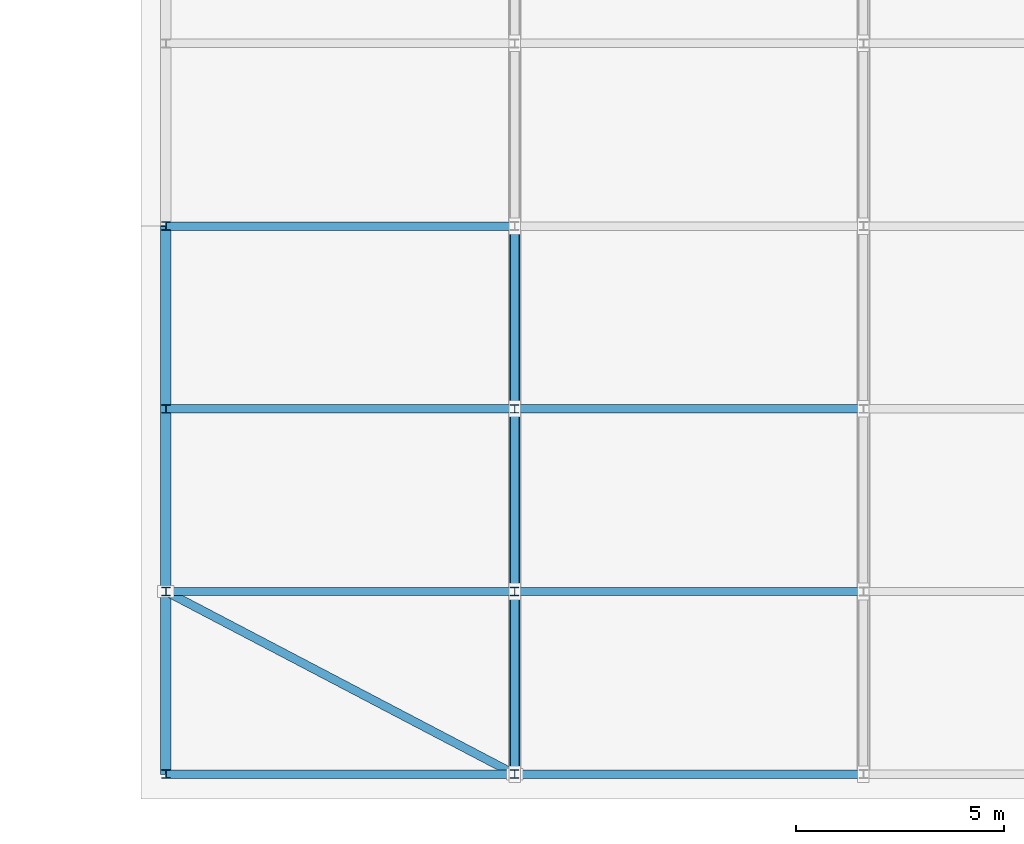
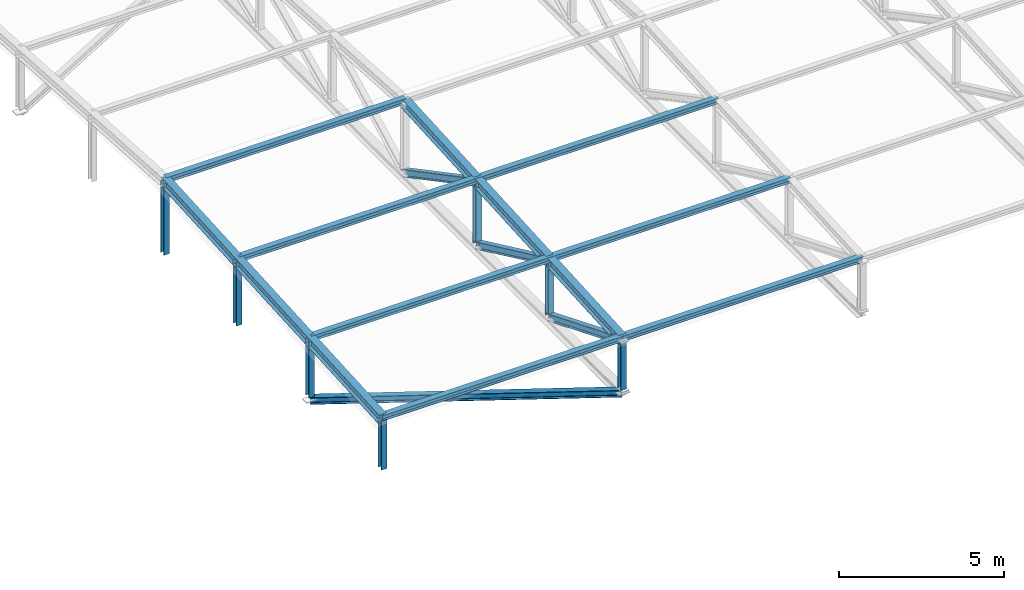
# One storey, part 6 of 49: 20 members.
"""IFC4 building model written with IfcOpenShell, lengths in metres."""

from ifc_helpers import new_model, si_unit, direction, frame, origin, origin_2d, place, context, subcontext, project, spatial, i_section, extrude, material, material_profile, profile_set, type_object, element, save


model = new_model("IFC4")

# Units and contexts
model_context = context("Model", 3, precision=1e-05, world=origin(), true_north=direction((0.0, 1.0)))
body_context = subcontext(model_context, "Body", "Model", "MODEL_VIEW")
ifc_project = project(units=[si_unit("LENGTHUNIT", "METRE"), si_unit("AREAUNIT", "SQUARE_METRE"), si_unit("VOLUMEUNIT", "CUBIC_METRE"), si_unit("PLANEANGLEUNIT", "RADIAN"), si_unit("MASSUNIT", "GRAM", prefix="KILO")], contexts=[model_context])

# Site, building, storey
site_placement = place(None, origin())
site = spatial("IfcSite", under=ifc_project, at=site_placement, CompositionType="ELEMENT")
building_placement = place(site_placement, origin())
building = spatial("IfcBuilding", under=site, at=building_placement, Name="Kemercrest Conservatory and Botanical Centre", CompositionType="ELEMENT")
storey_placement = place(building_placement, frame((0.0, 0.0, 13.199951171875)))
storey = spatial("IfcBuildingStorey", under=building, at=storey_placement, Name="L03", CompositionType="ELEMENT", Elevation=13.199951171875)

# Members
ifc_material = material(Name="Steel CSA G40.21 350W", Category="steel")
ifc_material_profile_1 = material_profile(ifc_material, i_section(OverallWidth=0.202880859375, OverallDepth=0.251953125, WebThickness=0.008056640625, FlangeThickness=0.013427734375, FilletRadius=0.010986328125, at=origin_2d()), Name="W250X58")
ifc_profile_set_1 = profile_set([ifc_material_profile_1], Name="Steel CSA G40.21 350W")
member_type_1 = type_object("IfcMemberType", Name="BR-LAT250", PredefinedType="BRACE", material=ifc_profile_set_1)
member_1_placement = place(storey_placement, frame((58.39990234375, 21.199951171875, -0.14990234375), z_axis=(0.885839094012, -0.463992564079, 0.0), x_axis=(0.463992564079, 0.885839094012, 0.0)))
element("IfcMember", 1, at=member_1_placement, inside=storey, type_object=member_type_1, Name="Roof diaphragm corner wind brace BR-LAT250", PredefinedType="BRACE", context=body_context, shape_type="SweptSolid", body=[
    extrude(i_section(OverallWidth=0.202880859375, OverallDepth=0.251953125, WebThickness=0.008056640625, FlangeThickness=0.013427734375, FilletRadius=0.010986328125, at=origin_2d()), origin(), (0.0, 0.0, 1.0), 9.482666015625),
])
ifc_material_profile_2 = material_profile(ifc_material, i_section(OverallWidth=0.202880859375, OverallDepth=0.202880859375, WebThickness=0.007080078125, FlangeThickness=0.010986328125, FilletRadius=0.010009765625, at=origin_2d()), Name="W200X46")
ifc_profile_set_2 = profile_set([ifc_material_profile_2], Name="Steel CSA G40.21 350W")
member_type_2 = type_object("IfcMemberType", Name="PR-W200", PredefinedType="PURLIN", material=ifc_profile_set_2)
member_2_placement = place(storey_placement, frame((58.39990234375, 16.800048828125, 1.880126953125), z_axis=(1.0, 0.0, 0.0), x_axis=(0.0, 1.0, 0.0)))
element("IfcMember", 2, at=member_2_placement, inside=storey, type_object=member_type_2, Name="Auditorium roof purlin P0", PredefinedType="PURLIN", context=body_context, shape_type="SweptSolid", body=[
    extrude(i_section(OverallWidth=0.202880859375, OverallDepth=0.202880859375, WebThickness=0.007080078125, FlangeThickness=0.010986328125, FilletRadius=0.010009765625, at=origin_2d()), origin(), (0.0, 0.0, 1.0), 8.400146484375),
])
member_3_placement = place(storey_placement, frame((66.800048828125, 16.800048828125, 1.880126953125), z_axis=(1.0, 0.0, 0.0), x_axis=(0.0, 1.0, 0.0)))
element("IfcMember", 3, at=member_3_placement, inside=storey, type_object=member_type_2, Name="Auditorium roof purlin P0", PredefinedType="PURLIN", context=body_context, shape_type="SweptSolid", body=[
    extrude(i_section(OverallWidth=0.202880859375, OverallDepth=0.202880859375, WebThickness=0.007080078125, FlangeThickness=0.010986328125, FilletRadius=0.010009765625, at=origin_2d()), origin(), (0.0, 0.0, 1.0), 8.39990234375),
])
member_4_placement = place(storey_placement, frame((58.39990234375, 21.199951171875, 2.146728515625), z_axis=(1.0, 0.0, 0.0), x_axis=(0.0, 1.0, 0.0)))
element("IfcMember", 4, at=member_4_placement, inside=storey, type_object=member_type_2, Name="Auditorium roof purlin P1", PredefinedType="PURLIN", context=body_context, shape_type="SweptSolid", body=[
    extrude(i_section(OverallWidth=0.202880859375, OverallDepth=0.202880859375, WebThickness=0.007080078125, FlangeThickness=0.010986328125, FilletRadius=0.010009765625, at=origin_2d()), origin(), (0.0, 0.0, 1.0), 8.400146484375),
])
member_5_placement = place(storey_placement, frame((66.800048828125, 21.199951171875, 2.146728515625), z_axis=(1.0, 0.0, 0.0), x_axis=(0.0, 1.0, 0.0)))
element("IfcMember", 5, at=member_5_placement, inside=storey, type_object=member_type_2, Name="Auditorium roof purlin P1", PredefinedType="PURLIN", context=body_context, shape_type="SweptSolid", body=[
    extrude(i_section(OverallWidth=0.202880859375, OverallDepth=0.202880859375, WebThickness=0.007080078125, FlangeThickness=0.010986328125, FilletRadius=0.010009765625, at=origin_2d()), origin(), (0.0, 0.0, 1.0), 8.39990234375),
])
member_6_placement = place(storey_placement, frame((58.39990234375, 25.60009765625, 2.413330078125), z_axis=(1.0, 0.0, 0.0), x_axis=(0.0, 1.0, 0.0)))
element("IfcMember", 6, at=member_6_placement, inside=storey, type_object=member_type_2, Name="Auditorium roof purlin P2", PredefinedType="PURLIN", context=body_context, shape_type="SweptSolid", body=[
    extrude(i_section(OverallWidth=0.202880859375, OverallDepth=0.202880859375, WebThickness=0.007080078125, FlangeThickness=0.010986328125, FilletRadius=0.010009765625, at=origin_2d()), origin(), (0.0, 0.0, 1.0), 8.400146484375),
])
member_7_placement = place(storey_placement, frame((66.800048828125, 25.60009765625, 2.413330078125), z_axis=(1.0, 0.0, 0.0), x_axis=(0.0, 1.0, 0.0)))
element("IfcMember", 7, at=member_7_placement, inside=storey, type_object=member_type_2, Name="Auditorium roof purlin P2", PredefinedType="PURLIN", context=body_context, shape_type="SweptSolid", body=[
    extrude(i_section(OverallWidth=0.202880859375, OverallDepth=0.202880859375, WebThickness=0.007080078125, FlangeThickness=0.010986328125, FilletRadius=0.010009765625, at=origin_2d()), origin(), (0.0, 0.0, 1.0), 8.39990234375),
])
member_8_placement = place(storey_placement, frame((58.39990234375, 30.0, 2.679931640625), z_axis=(1.0, 0.0, 0.0), x_axis=(0.0, 1.0, 0.0)))
element("IfcMember", 8, at=member_8_placement, inside=storey, type_object=member_type_2, Name="Auditorium roof purlin P3", PredefinedType="PURLIN", context=body_context, shape_type="SweptSolid", body=[
    extrude(i_section(OverallWidth=0.202880859375, OverallDepth=0.202880859375, WebThickness=0.007080078125, FlangeThickness=0.010986328125, FilletRadius=0.010009765625, at=origin_2d()), origin(), (0.0, 0.0, 1.0), 8.400146484375),
])
ifc_material_profile_3 = material_profile(ifc_material, i_section(OverallWidth=0.257080078125, OverallDepth=0.363037109375, WebThickness=0.012939453125, FlangeThickness=0.021728515625, FilletRadius=0.01611328125, at=origin_2d()), Name="W360X122")
ifc_profile_set_3 = profile_set([ifc_material_profile_3], Name="Steel CSA G40.21 350W")
member_type_3 = type_object("IfcMemberType", Name="TR-TC360", PredefinedType="CHORD", material=ifc_profile_set_3)
for number, where, z_axis, x_axis, name in (
    (9, (66.800048828125, 16.800048828125, 1.800048828125), (0.0, 0.998168260152, 0.060498962186), (-1.0, 0.0, 0.0), "Auditorium Roof Truss South Top Chord 08"),
    (10, (58.39990234375, 16.800048828125, 1.800048828125), (0.0, 0.998168260152, 0.060498962186), (-1.0, 0.0, 0.0), "Auditorium gable south rafter 07"),
):
    element("IfcMember", number, at=place(storey_placement, frame(where, z_axis=z_axis, x_axis=x_axis)), inside=storey, type_object=member_type_3, Name=name, PredefinedType="CHORD", context=body_context, shape_type="SweptSolid", body=[
        extrude(i_section(OverallWidth=0.257080078125, OverallDepth=0.363037109375, WebThickness=0.012939453125, FlangeThickness=0.021728515625, FilletRadius=0.01611328125, at=origin_2d()), origin(), (0.0, 0.0, 1.0), 13.22412109375),
    ])
ifc_material_profile_4 = material_profile(ifc_material, i_section(OverallWidth=0.202880859375, OverallDepth=0.202880859375, WebThickness=0.007080078125, FlangeThickness=0.010986328125, FilletRadius=0.010009765625, at=origin_2d()), Name="W200X46")
ifc_profile_set_4 = profile_set([ifc_material_profile_4], Name="Steel CSA G40.21 350W")
member_type_4 = type_object("IfcMemberType", Name="TR-VRT200", PredefinedType="BRACE", material=ifc_profile_set_4)
member_9_placement = place(storey_placement, frame((66.800048828125, 16.800048828125, -0.014892578125), z_axis=(0.0, 0.0, 1.0), x_axis=(1.0, 0.0, 0.0)))
element("IfcMember", 11, at=member_9_placement, inside=storey, type_object=member_type_4, Name="Auditorium Roof Truss Vertical Strut 08-V0", PredefinedType="BRACE", context=body_context, shape_type="SweptSolid", body=[
    extrude(i_section(OverallWidth=0.202880859375, OverallDepth=0.202880859375, WebThickness=0.007080078125, FlangeThickness=0.010986328125, FilletRadius=0.010009765625, at=origin_2d()), origin(), (0.0, 0.0, 1.0), 1.81494140625),
])
member_10_placement = place(storey_placement, frame((66.800048828125, 21.199951171875, -0.014892578125), z_axis=(0.0, 0.0, 1.0), x_axis=(1.0, 0.0, 0.0)))
element("IfcMember", 12, at=member_10_placement, inside=storey, type_object=member_type_4, Name="Auditorium Roof Truss Vertical Strut 08-V1", PredefinedType="BRACE", context=body_context, shape_type="SweptSolid", body=[
    extrude(i_section(OverallWidth=0.202880859375, OverallDepth=0.202880859375, WebThickness=0.007080078125, FlangeThickness=0.010986328125, FilletRadius=0.010009765625, at=origin_2d()), origin(), (0.0, 0.0, 1.0), 2.08154296875),
])
member_11_placement = place(storey_placement, frame((66.800048828125, 25.60009765625, -0.014892578125), z_axis=(0.0, 0.0, 1.0), x_axis=(1.0, 0.0, 0.0)))
element("IfcMember", 13, at=member_11_placement, inside=storey, type_object=member_type_4, Name="Auditorium Roof Truss Vertical Strut 08-V2", PredefinedType="BRACE", context=body_context, shape_type="SweptSolid", body=[
    extrude(i_section(OverallWidth=0.202880859375, OverallDepth=0.202880859375, WebThickness=0.007080078125, FlangeThickness=0.010986328125, FilletRadius=0.010009765625, at=origin_2d()), origin(), (0.0, 0.0, 1.0), 2.34814453125),
])
member_12_placement = place(storey_placement, frame((58.39990234375, 16.800048828125, -0.014892578125), z_axis=(0.0, 0.0, 1.0), x_axis=(1.0, 0.0, 0.0)))
element("IfcMember", 14, at=member_12_placement, inside=storey, type_object=member_type_4, Name="Auditorium Gable Post Strut 07-V0", PredefinedType="BRACE", context=body_context, shape_type="SweptSolid", body=[
    extrude(i_section(OverallWidth=0.202880859375, OverallDepth=0.202880859375, WebThickness=0.007080078125, FlangeThickness=0.010986328125, FilletRadius=0.010009765625, at=origin_2d()), origin(), (0.0, 0.0, 1.0), 1.81494140625),
])
member_13_placement = place(storey_placement, frame((58.39990234375, 21.199951171875, -0.014892578125), z_axis=(0.0, 0.0, 1.0), x_axis=(1.0, 0.0, 0.0)))
element("IfcMember", 15, at=member_13_placement, inside=storey, type_object=member_type_4, Name="Auditorium Gable Post Strut 07-V1", PredefinedType="BRACE", context=body_context, shape_type="SweptSolid", body=[
    extrude(i_section(OverallWidth=0.202880859375, OverallDepth=0.202880859375, WebThickness=0.007080078125, FlangeThickness=0.010986328125, FilletRadius=0.010009765625, at=origin_2d()), origin(), (0.0, 0.0, 1.0), 2.08154296875),
])
member_14_placement = place(storey_placement, frame((58.39990234375, 25.60009765625, -0.014892578125), z_axis=(0.0, 0.0, 1.0), x_axis=(1.0, 0.0, 0.0)))
element("IfcMember", 16, at=member_14_placement, inside=storey, type_object=member_type_4, Name="Auditorium Gable Post Strut 07-V2", PredefinedType="BRACE", context=body_context, shape_type="SweptSolid", body=[
    extrude(i_section(OverallWidth=0.202880859375, OverallDepth=0.202880859375, WebThickness=0.007080078125, FlangeThickness=0.010986328125, FilletRadius=0.010009765625, at=origin_2d()), origin(), (0.0, 0.0, 1.0), 2.34814453125),
])
member_15_placement = place(storey_placement, frame((58.39990234375, 30.0, -0.06005859375), z_axis=(0.0, 0.0, 1.0), x_axis=(1.0, 0.0, 0.0)))
element("IfcMember", 17, at=member_15_placement, inside=storey, type_object=member_type_4, Name="Auditorium Gable Post Strut 07-V3", PredefinedType="BRACE", context=body_context, shape_type="SweptSolid", body=[
    extrude(i_section(OverallWidth=0.202880859375, OverallDepth=0.202880859375, WebThickness=0.007080078125, FlangeThickness=0.010986328125, FilletRadius=0.010009765625, at=origin_2d()), origin(), (0.0, 0.0, 1.0), 2.66015625),
])
ifc_material_profile_5 = material_profile(ifc_material, i_section(OverallWidth=0.202880859375, OverallDepth=0.251953125, WebThickness=0.008056640625, FlangeThickness=0.013427734375, FilletRadius=0.010986328125, at=origin_2d()), Name="W250X58")
ifc_profile_set_5 = profile_set([ifc_material_profile_5], Name="Steel CSA G40.21 350W")
member_type_5 = type_object("IfcMemberType", Name="TR-WEB250", PredefinedType="BRACE", material=ifc_profile_set_5)
member_16_placement = place(storey_placement, frame((66.800048828125, 16.800048828125, 1.780029296875), z_axis=(0.0, 0.925918062478, -0.377724425443), x_axis=(-1.0, 0.0, 0.0)))
element("IfcMember", 18, at=member_16_placement, inside=storey, type_object=member_type_5, Name="Auditorium Roof Truss Web Diagonal 08-D0", PredefinedType="BRACE", context=body_context, shape_type="SweptSolid", body=[
    extrude(i_section(OverallWidth=0.202880859375, OverallDepth=0.251953125, WebThickness=0.008056640625, FlangeThickness=0.013427734375, FilletRadius=0.010986328125, at=origin_2d()), origin(), (0.0, 0.0, 1.0), 4.751953125),
])
member_17_placement = place(storey_placement, frame((66.800048828125, 21.199951171875, 2.046630859375), z_axis=(0.0, 0.905541585504, -0.424257512512), x_axis=(-1.0, 0.0, 0.0)))
element("IfcMember", 19, at=member_17_placement, inside=storey, type_object=member_type_5, Name="Auditorium Roof Truss Web Diagonal 08-D1", PredefinedType="BRACE", context=body_context, shape_type="SweptSolid", body=[
    extrude(i_section(OverallWidth=0.202880859375, OverallDepth=0.251953125, WebThickness=0.008056640625, FlangeThickness=0.013427734375, FilletRadius=0.010986328125, at=origin_2d()), origin(), (0.0, 0.0, 1.0), 4.859130859375),
])
member_18_placement = place(storey_placement, frame((66.800048828125, 25.60009765625, 2.313232421875), z_axis=(0.0, 0.883890492112, -0.467693914814), x_axis=(-1.0, 0.0, 0.0)))
element("IfcMember", 20, at=member_18_placement, inside=storey, type_object=member_type_5, Name="Auditorium Roof Truss Web Diagonal 08-D2", PredefinedType="BRACE", context=body_context, shape_type="SweptSolid", body=[
    extrude(i_section(OverallWidth=0.202880859375, OverallDepth=0.251953125, WebThickness=0.008056640625, FlangeThickness=0.013427734375, FilletRadius=0.010986328125, at=origin_2d()), origin(), (0.0, 0.0, 1.0), 4.977783203125),
])

save(model, "model.ifc")
